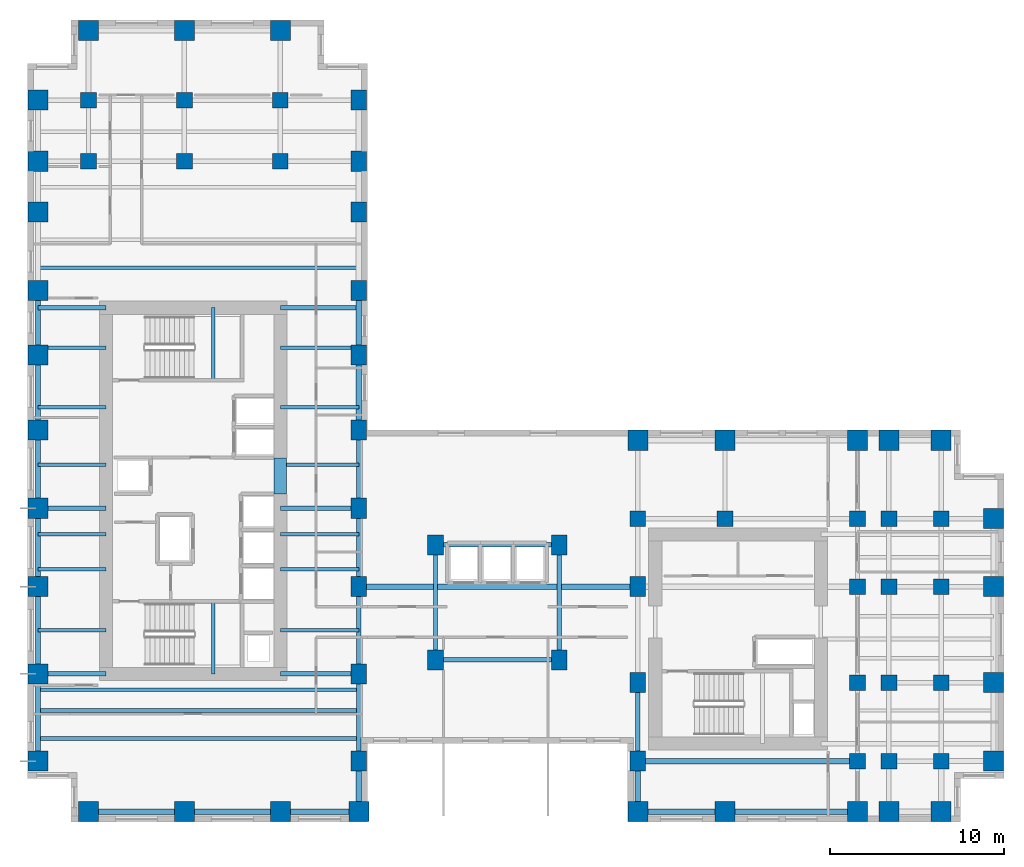
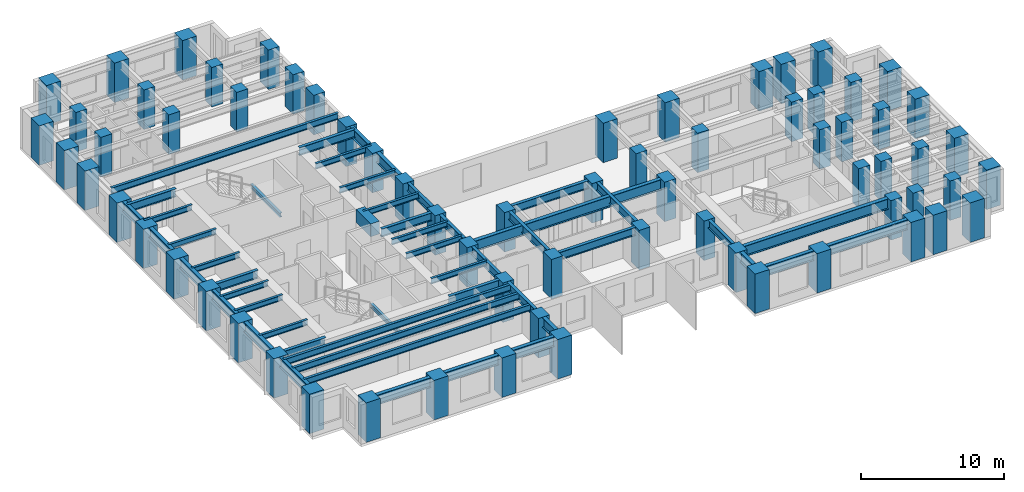
# One storey, part 1 of 11: 68 columns, 51 beams.
"""IFC4 building model written with IfcOpenShell, lengths in metres."""

from ifc_helpers import new_model, si_unit, direction, frame, origin, origin_2d, place, context, subcontext, project, spatial, rectangle, i_section, extrude, source, transform, mapped, material, material_profile, profile_set, type_object, element, save


model = new_model("IFC4")

# Units and contexts
model_context = context("Model", 3, precision=1e-05, world=origin(), true_north=direction((0.0, 1.0)))
body_context = subcontext(model_context, "Body", "Model", "MODEL_VIEW")
ifc_project = project(units=[si_unit("LENGTHUNIT", "METRE"), si_unit("AREAUNIT", "SQUARE_METRE"), si_unit("VOLUMEUNIT", "CUBIC_METRE"), si_unit("PLANEANGLEUNIT", "RADIAN"), si_unit("MASSUNIT", "GRAM", prefix="KILO")], contexts=[model_context])

# Site, building, storey
site_placement = place(None, origin())
site = spatial("IfcSite", under=ifc_project, at=site_placement, CompositionType="ELEMENT")
building_placement = place(site_placement, origin())
building = spatial("IfcBuilding", under=site, at=building_placement, Name="Kharzan Plaza Tower", CompositionType="ELEMENT")
storey_placement = place(building_placement, frame((0.0, 0.0, 84.60009765625)))
storey = spatial("IfcBuildingStorey", under=building, at=storey_placement, Name="L22", CompositionType="ELEMENT", Elevation=84.60009765625)

# Columns
ifc_material_1 = material(Name="Concrete C50/60", Category="concrete")
ifc_material_profile_1 = material_profile(ifc_material_1, rectangle(XDim=0.89990234375, YDim=0.89990234375, at=origin_2d()), Name="RC-IC900x900")
ifc_profile_set_1 = profile_set([ifc_material_profile_1], Name="Concrete C50/60")
column_type_1 = type_object("IfcColumnType", Name="COL-IC900", PredefinedType="COLUMN", material=ifc_profile_set_1)
shared_shape_1 = source(origin(), body_context, "Body", "SweptSolid", [
    extrude(rectangle(XDim=0.89990234375, YDim=0.89990234375, at=origin_2d()), origin(), (0.0, 0.0, 1.0), 3.3798828125),
])
for number, where, z_axis, x_axis, name in (
    (1, (47.60009765625, 13.5, 0.0), (0.0, 0.0, 1.0), (1.0, 0.0, 0.0), "L22 Structural Column TCBI-135"),
    (2, (47.60009765625, 3.5, 0.0), (0.0, 0.0, 1.0), (1.0, 0.0, 0.0), "L22 Structural Column TCBI-35"),
    (3, (47.60009765625, 8.0, 0.0), (0.0, 0.0, 1.0), (1.0, 0.0, 0.0), "L22 Structural Column TCBI-80"),
    (4, (35.0, 17.39990234375, 0.0), (0.0, 0.0, 1.0), (1.0, 0.0, 0.0), "L22 Structural Column TCBN-350-174"),
    (5, (40.0, 17.39990234375, 0.0), (0.0, 0.0, 1.0), (1.0, 0.0, 0.0), "L22 Structural Column TCBN-400-174"),
    (6, (47.60009765625, 17.39990234375, 0.0), (0.0, 0.0, 1.0), (1.0, 0.0, 0.0), "L22 Structural Column TCBN-476-174"),
    (7, (49.39990234375, 13.5, 0.0), (0.0, 0.0, 1.0), (1.0, 0.0, 0.0), "L22 Structural Column TCE-494-135"),
    (8, (49.39990234375, 17.39990234375, 0.0), (0.0, 0.0, 1.0), (1.0, 0.0, 0.0), "L22 Structural Column TCE-494-174"),
    (9, (49.39990234375, 3.5, 0.0), (0.0, 0.0, 1.0), (1.0, 0.0, 0.0), "L22 Structural Column TCE-494-35"),
    (10, (49.39990234375, 8.0, 0.0), (0.0, 0.0, 1.0), (1.0, 0.0, 0.0), "L22 Structural Column TCE-494-80"),
    (11, (52.39990234375, 13.5, 0.0), (0.0, 0.0, 1.0), (1.0, 0.0, 0.0), "L22 Structural Column TCE-524-135"),
    (12, (52.39990234375, 17.39990234375, 0.0), (0.0, 0.0, 1.0), (1.0, 0.0, 0.0), "L22 Structural Column TCE-524-174"),
    (13, (52.39990234375, 3.5, 0.0), (0.0, 0.0, 1.0), (1.0, 0.0, 0.0), "L22 Structural Column TCE-524-35"),
    (14, (52.39990234375, 8.0, 0.0), (0.0, 0.0, 1.0), (1.0, 0.0, 0.0), "L22 Structural Column TCE-524-80"),
    (15, (14.5, 37.89990234375, 0.0), (0.0, 0.0, 1.0), (1.0, 0.0, 0.0), "L22 Structural Column TCN-145-379"),
    (16, (14.5, 41.39990234375, 0.0), (0.0, 0.0, 1.0), (1.0, 0.0, 0.0), "L22 Structural Column TCN-145-414"),
    (17, (3.5, 37.89990234375, 0.0), (0.0, 0.0, 1.0), (1.0, 0.0, 0.0), "L22 Structural Column TCN-35-379"),
    (18, (3.5, 41.39990234375, 0.0), (0.0, 0.0, 1.0), (1.0, 0.0, 0.0), "L22 Structural Column TCN-35-414"),
    (19, (9.0, 37.89990234375, 0.0), (0.0, 0.0, 1.0), (1.0, 0.0, 0.0), "L22 Structural Column TCN-90-379"),
    (20, (9.0, 41.39990234375, 0.0), (0.0, 0.0, 1.0), (1.0, 0.0, 0.0), "L22 Structural Column TCN-90-414"),
):
    element("IfcColumn", number, at=place(storey_placement, frame(where, z_axis=z_axis, x_axis=x_axis)), inside=storey, type_object=column_type_1, Name=name, PredefinedType="COLUMN", context=body_context, shape_type="MappedRepresentation", body=[
        mapped(shared_shape_1, transform((0.0, 0.0, 0.0), x_axis=(1.0, 0.0, 0.0), y_axis=(0.0, 1.0, 0.0), z_axis=(0.0, 0.0, 1.0))),
    ])
ifc_material_2 = material(Name="Concrete C60/75", Category="concrete")
ifc_material_profile_2 = material_profile(ifc_material_2, rectangle(XDim=0.89990234375, YDim=1.14990234375, at=origin_2d()), Name="RC-SC1150x900")
ifc_profile_set_2 = profile_set([ifc_material_profile_2], Name="Concrete C60/75")
column_type_2 = type_object("IfcColumnType", Name="COL-SC1150", PredefinedType="COLUMN", material=ifc_profile_set_2)
shared_shape_2 = source(origin(), body_context, "Body", "SweptSolid", [
    extrude(rectangle(XDim=0.89990234375, YDim=1.14990234375, at=origin_2d()), origin(), (0.0, 0.0, 1.0), 3.3798828125),
])
for number, where, z_axis, x_axis, name in (
    (21, (19.0, 13.5, 0.0), (0.0, 0.0, 1.0), (1.0, 0.0, 0.0), "L22 Structural Column TCA-135"),
    (22, (19.0, 18.0, 0.0), (0.0, 0.0, 1.0), (1.0, 0.0, 0.0), "L22 Structural Column TCA-180"),
    (23, (19.0, 22.5, 0.0), (0.0, 0.0, 1.0), (1.0, 0.0, 0.0), "L22 Structural Column TCA-225"),
    (24, (19.0, 26.800048828125, 0.0), (0.0, 0.0, 1.0), (1.0, 0.0, 0.0), "L22 Structural Column TCA-268"),
    (25, (19.0, 30.5, 0.0), (0.0, 0.0, 1.0), (1.0, 0.0, 0.0), "L22 Structural Column TCA-305"),
    (26, (19.0, 3.5, 0.0), (0.0, 0.0, 1.0), (1.0, 0.0, 0.0), "L22 Structural Column TCA-35"),
    (27, (19.0, 35.0, 0.0), (0.0, 0.0, 1.0), (1.0, 0.0, 0.0), "L22 Structural Column TCA-350"),
    (28, (19.0, 37.89990234375, 0.0), (0.0, 0.0, 1.0), (1.0, 0.0, 0.0), "L22 Structural Column TCA-379"),
    (29, (19.0, 41.39990234375, 0.0), (0.0, 0.0, 1.0), (1.0, 0.0, 0.0), "L22 Structural Column TCA-414"),
    (30, (19.0, 8.5, 0.0), (0.0, 0.0, 1.0), (1.0, 0.0, 0.0), "L22 Structural Column TCA-85"),
    (31, (35.0, 13.5, 0.0), (0.0, 0.0, 1.0), (1.0, 0.0, 0.0), "L22 Structural Column TCBS-135"),
    (32, (35.0, 3.5, 0.0), (0.0, 0.0, 1.0), (1.0, 0.0, 0.0), "L22 Structural Column TCBS-35"),
    (33, (35.0, 8.0, 0.0), (0.0, 0.0, 1.0), (1.0, 0.0, 0.0), "L22 Structural Column TCBS-80"),
    (34, (23.39990234375, 15.89990234375, 0.0), (0.0, 0.0, 1.0), (1.0, 0.0, 0.0), "L22 Structural Column TCSP-234-159"),
    (35, (23.39990234375, 9.300048828125, 0.0), (0.0, 0.0, 1.0), (1.0, 0.0, 0.0), "L22 Structural Column TCSP-234-93"),
    (36, (30.5, 15.89990234375, 0.0), (0.0, 0.0, 1.0), (1.0, 0.0, 0.0), "L22 Structural Column TCSP-305-159"),
    (37, (30.5, 9.300048828125, 0.0), (0.0, 0.0, 1.0), (1.0, 0.0, 0.0), "L22 Structural Column TCSP-305-93"),
):
    element("IfcColumn", number, at=place(storey_placement, frame(where, z_axis=z_axis, x_axis=x_axis)), inside=storey, type_object=column_type_2, Name=name, PredefinedType="COLUMN", context=body_context, shape_type="MappedRepresentation", body=[
        mapped(shared_shape_2, transform((0.0, 0.0, 0.0), x_axis=(1.0, 0.0, 0.0), y_axis=(0.0, 1.0, 0.0), z_axis=(0.0, 0.0, 1.0))),
    ])
ifc_material_profile_3 = material_profile(ifc_material_2, rectangle(XDim=1.14990234375, YDim=1.14990234375, at=origin_2d()), Name="RC-TC1150x1150")
ifc_profile_set_3 = profile_set([ifc_material_profile_3], Name="Concrete C60/75")
column_type_3 = type_object("IfcColumnType", Name="COL-TC1150", PredefinedType="COLUMN", material=ifc_profile_set_3)
shared_shape_3 = source(origin(), body_context, "Body", "SweptSolid", [
    extrude(rectangle(XDim=1.14990234375, YDim=1.14990234375, at=origin_2d()), origin(), (0.0, 0.0, 1.0), 3.3798828125),
])
for number, where, z_axis, x_axis, name in (
    (38, (35.0, 21.89990234375, 0.0), (0.0, 0.0, 1.0), (1.0, 0.0, 0.0), "L22 Structural Column TCBN-350-219"),
    (39, (40.0, 21.89990234375, 0.0), (0.0, 0.0, 1.0), (1.0, 0.0, 0.0), "L22 Structural Column TCBN-400-219"),
    (40, (47.60009765625, 21.89990234375, 0.0), (0.0, 0.0, 1.0), (1.0, 0.0, 0.0), "L22 Structural Column TCBN-476-219"),
    (41, (49.39990234375, 21.89990234375, 0.0), (0.0, 0.0, 1.0), (1.0, 0.0, 0.0), "L22 Structural Column TCBN-494-219"),
    (42, (52.39990234375, 21.89990234375, 0.0), (0.0, 0.0, 1.0), (1.0, 0.0, 0.0), "L22 Structural Column TCBN-524-219"),
    (43, (55.39990234375, 13.5, 0.0), (0.0, 0.0, 1.0), (1.0, 0.0, 0.0), "L22 Structural Column TCE-554-135"),
    (44, (55.39990234375, 17.39990234375, 0.0), (0.0, 0.0, 1.0), (1.0, 0.0, 0.0), "L22 Structural Column TCE-554-174"),
    (45, (55.39990234375, 3.5, 0.0), (0.0, 0.0, 1.0), (1.0, 0.0, 0.0), "L22 Structural Column TCE-554-35"),
    (46, (55.39990234375, 8.0, 0.0), (0.0, 0.0, 1.0), (1.0, 0.0, 0.0), "L22 Structural Column TCE-554-80"),
    (47, (14.5, 45.39990234375, 0.0), (0.0, 0.0, 1.0), (1.0, 0.0, 0.0), "L22 Structural Column TCN-145-454"),
    (48, (3.5, 45.39990234375, 0.0), (0.0, 0.0, 1.0), (1.0, 0.0, 0.0), "L22 Structural Column TCN-35-454"),
    (49, (9.0, 45.39990234375, 0.0), (0.0, 0.0, 1.0), (1.0, 0.0, 0.0), "L22 Structural Column TCN-90-454"),
    (50, (14.5, 0.60009765625, 0.0), (0.0, 0.0, 1.0), (1.0, 0.0, 0.0), "L22 Structural Column TCS-145"),
    (51, (19.0, 0.60009765625, 0.0), (0.0, 0.0, 1.0), (1.0, 0.0, 0.0), "L22 Structural Column TCS-190"),
    (52, (3.5, 0.60009765625, 0.0), (0.0, 0.0, 1.0), (1.0, 0.0, 0.0), "L22 Structural Column TCS-35"),
    (53, (35.0, 0.60009765625, 0.0), (0.0, 0.0, 1.0), (1.0, 0.0, 0.0), "L22 Structural Column TCS-350"),
    (54, (40.0, 0.60009765625, 0.0), (0.0, 0.0, 1.0), (1.0, 0.0, 0.0), "L22 Structural Column TCS-400"),
    (55, (47.60009765625, 0.60009765625, 0.0), (0.0, 0.0, 1.0), (1.0, 0.0, 0.0), "L22 Structural Column TCS-476"),
    (56, (49.39990234375, 0.60009765625, 0.0), (0.0, 0.0, 1.0), (1.0, 0.0, 0.0), "L22 Structural Column TCS-494"),
    (57, (52.39990234375, 0.60009765625, 0.0), (0.0, 0.0, 1.0), (1.0, 0.0, 0.0), "L22 Structural Column TCS-524"),
    (58, (9.0, 0.60009765625, 0.0), (0.0, 0.0, 1.0), (1.0, 0.0, 0.0), "L22 Structural Column TCS-90"),
    (59, (0.60009765625, 13.5, 0.0), (0.0, 0.0, 1.0), (1.0, 0.0, 0.0), "L22 Structural Column TCW-135"),
    (60, (0.60009765625, 18.0, 0.0), (0.0, 0.0, 1.0), (1.0, 0.0, 0.0), "L22 Structural Column TCW-180"),
    (61, (0.60009765625, 22.5, 0.0), (0.0, 0.0, 1.0), (1.0, 0.0, 0.0), "L22 Structural Column TCW-225"),
    (62, (0.60009765625, 26.800048828125, 0.0), (0.0, 0.0, 1.0), (1.0, 0.0, 0.0), "L22 Structural Column TCW-268"),
    (63, (0.60009765625, 30.5, 0.0), (0.0, 0.0, 1.0), (1.0, 0.0, 0.0), "L22 Structural Column TCW-305"),
    (64, (0.60009765625, 3.5, 0.0), (0.0, 0.0, 1.0), (1.0, 0.0, 0.0), "L22 Structural Column TCW-35"),
    (65, (0.60009765625, 35.0, 0.0), (0.0, 0.0, 1.0), (1.0, 0.0, 0.0), "L22 Structural Column TCW-350"),
    (66, (0.60009765625, 37.89990234375, 0.0), (0.0, 0.0, 1.0), (1.0, 0.0, 0.0), "L22 Structural Column TCW-379"),
    (67, (0.60009765625, 41.39990234375, 0.0), (0.0, 0.0, 1.0), (1.0, 0.0, 0.0), "L22 Structural Column TCW-414"),
    (68, (0.60009765625, 8.5, 0.0), (0.0, 0.0, 1.0), (1.0, 0.0, 0.0), "L22 Structural Column TCW-85"),
):
    element("IfcColumn", number, at=place(storey_placement, frame(where, z_axis=z_axis, x_axis=x_axis)), inside=storey, type_object=column_type_3, Name=name, PredefinedType="COLUMN", context=body_context, shape_type="MappedRepresentation", body=[
        mapped(shared_shape_3, transform((0.0, 0.0, 0.0), x_axis=(1.0, 0.0, 0.0), y_axis=(0.0, 1.0, 0.0), z_axis=(0.0, 0.0, 1.0))),
    ])

# Beams
ifc_material_profile_4 = material_profile(ifc_material_2, rectangle(XDim=0.699951171875, YDim=1.10009765625, at=origin_2d()), Name="RC-CB1100x700")
ifc_profile_set_4 = profile_set([ifc_material_profile_4], Name="Concrete C60/75")
beam_type_1 = type_object("IfcBeamType", Name="BM-RCCB1100", PredefinedType="LINTEL", material=ifc_profile_set_4)
shared_shape_4 = source(origin(), body_context, "Body", "SweptSolid", [
    extrude(rectangle(XDim=0.699951171875, YDim=1.10009765625, at=origin_2d()), origin(), (0.0, 0.0, 1.0), 2.059814453125),
])
beam_1_placement = place(storey_placement, frame((14.5, 18.820068359375, 2.829833984375), z_axis=(0.0, 1.0, 0.0), x_axis=(-1.0, 0.0, 0.0)))
element("IfcBeam", 69, at=beam_1_placement, inside=storey, type_object=beam_type_1, Name="L22 CORE-A RC coupling beam CB1", PredefinedType="LINTEL", context=body_context, shape_type="MappedRepresentation", body=[
    mapped(shared_shape_4, transform((0.0, 0.0, 0.0), x_axis=(1.0, 0.0, 0.0), y_axis=(0.0, 1.0, 0.0), z_axis=(0.0, 0.0, 1.0))),
])
ifc_material_3 = material(Name="Steel S355", Category="steel")
ifc_material_profile_5 = material_profile(ifc_material_3, i_section(OverallWidth=0.205078125, OverallDepth=0.35400390625, WebThickness=0.009521484375, FlangeThickness=0.016845703125, at=origin_2d()), Name="W360x79")
ifc_profile_set_5 = profile_set([ifc_material_profile_5], Name="Steel S355")
beam_type_2 = type_object("IfcBeamType", Name="BM-LNT360", PredefinedType="LINTEL", material=ifc_profile_set_5)
shared_shape_5 = source(origin(), body_context, "Body", "SweptSolid", [
    extrude(i_section(OverallWidth=0.205078125, OverallDepth=0.35400390625, WebThickness=0.009521484375, FlangeThickness=0.016845703125, at=origin_2d()), origin(), (0.0, 0.0, 1.0), 4.155029296875),
])
for number, where, z_axis, x_axis, name in (
    (70, (10.64990234375, 8.5, 1.4228515625), (0.0, 1.0, 0.0), (-1.0, 0.0, 0.0), "L22 Stair ST-1 Half-Landing Beam"),
    (71, (10.64990234375, 25.344970703125, 1.4228515625), (0.0, 1.0, 0.0), (-1.0, 0.0, 0.0), "L22 Stair ST-2 Half-Landing Beam"),
):
    element("IfcBeam", number, at=place(storey_placement, frame(where, z_axis=z_axis, x_axis=x_axis)), inside=storey, type_object=beam_type_2, Name=name, PredefinedType="LINTEL", context=body_context, shape_type="MappedRepresentation", body=[
        mapped(shared_shape_5, transform((0.0, 0.0, 0.0), x_axis=(1.0, 0.0, 0.0), y_axis=(0.0, 1.0, 0.0), z_axis=(0.0, 0.0, 1.0))),
    ])
ifc_material_profile_6 = material_profile(ifc_material_3, i_section(OverallWidth=0.304931640625, OverallDepth=0.9189453125, WebThickness=0.017333984375, FlangeThickness=0.02783203125, at=origin_2d()), Name="W920x253")
ifc_profile_set_6 = profile_set([ifc_material_profile_6], Name="Steel S355")
beam_type_3 = type_object("IfcBeamType", Name="BM-FG920B", PredefinedType="BEAM", material=ifc_profile_set_6)
shared_shape_6 = source(origin(), body_context, "Body", "SweptSolid", [
    extrude(i_section(OverallWidth=0.304931640625, OverallDepth=0.9189453125, WebThickness=0.017333984375, FlangeThickness=0.02783203125, at=origin_2d()), origin(), (0.0, 0.0, 1.0), 12.60009765625),
])
beam_2_placement = place(storey_placement, frame((35.0, 3.5, 2.92041015625), z_axis=(1.0, 0.0, 0.0), x_axis=(0.0, 1.0, 0.0)))
element("IfcBeam", 72, at=beam_2_placement, inside=storey, type_object=beam_type_3, Name="L22 Primary Floor Girder", PredefinedType="BEAM", context=body_context, shape_type="MappedRepresentation", body=[
    mapped(shared_shape_6, transform((0.0, 0.0, 0.0), x_axis=(1.0, 0.0, 0.0), y_axis=(0.0, 1.0, 0.0), z_axis=(0.0, 0.0, 1.0))),
])
shared_shape_7 = source(origin(), body_context, "Body", "SweptSolid", [
    extrude(i_section(OverallWidth=0.304931640625, OverallDepth=0.9189453125, WebThickness=0.017333984375, FlangeThickness=0.02783203125, at=origin_2d()), origin(), (0.0, 0.0, 1.0), 16.0),
])
beam_3_placement = place(storey_placement, frame((19.0, 13.5, 2.92041015625), z_axis=(1.0, 0.0, 0.0), x_axis=(0.0, 1.0, 0.0)))
element("IfcBeam", 73, at=beam_3_placement, inside=storey, type_object=beam_type_3, Name="L22 Primary Floor Girder", PredefinedType="BEAM", context=body_context, shape_type="MappedRepresentation", body=[
    mapped(shared_shape_7, transform((0.0, 0.0, 0.0), x_axis=(1.0, 0.0, 0.0), y_axis=(0.0, 1.0, 0.0), z_axis=(0.0, 0.0, 1.0))),
])
ifc_material_profile_7 = material_profile(ifc_material_3, i_section(OverallWidth=0.2099609375, OverallDepth=0.537109375, WebThickness=0.010986328125, FlangeThickness=0.017333984375, at=origin_2d()), Name="W530x101")
ifc_profile_set_7 = profile_set([ifc_material_profile_7], Name="Steel S355")
beam_type_4 = type_object("IfcBeamType", Name="BM-JST530B", PredefinedType="JOIST", material=ifc_profile_set_7)
shared_shape_8 = source(origin(), body_context, "Body", "SweptSolid", [
    extrude(i_section(OverallWidth=0.2099609375, OverallDepth=0.537109375, WebThickness=0.010986328125, FlangeThickness=0.017333984375, at=origin_2d()), origin(), (0.0, 0.0, 1.0), 18.39990234375),
])
for number, where, z_axis, x_axis, name in (
    (74, (0.60009765625, 4.800048828125, 3.111328125), (1.0, 0.0, 0.0), (0.0, 1.0, 0.0), "L22 Wing A Composite Joist 01"),
    (75, (0.60009765625, 6.39990234375, 3.111328125), (1.0, 0.0, 0.0), (0.0, 1.0, 0.0), "L22 Wing A Composite Joist 02"),
    (76, (0.60009765625, 7.60009765625, 3.111328125), (1.0, 0.0, 0.0), (0.0, 1.0, 0.0), "L22 Wing A Composite Joist 03"),
    (77, (0.60009765625, 31.800048828125, 3.111328125), (1.0, 0.0, 0.0), (0.0, 1.0, 0.0), "L22 Wing A Composite Joist 04"),
):
    element("IfcBeam", number, at=place(storey_placement, frame(where, z_axis=z_axis, x_axis=x_axis)), inside=storey, type_object=beam_type_4, Name=name, PredefinedType="JOIST", context=body_context, shape_type="MappedRepresentation", body=[
        mapped(shared_shape_8, transform((0.0, 0.0, 0.0), x_axis=(1.0, 0.0, 0.0), y_axis=(0.0, 1.0, 0.0), z_axis=(0.0, 0.0, 1.0))),
    ])
ifc_material_profile_8 = material_profile(ifc_material_3, i_section(OverallWidth=0.194091796875, OverallDepth=0.468994140625, WebThickness=0.011474609375, FlangeThickness=0.0205078125, at=origin_2d()), Name="W460x106")
ifc_profile_set_8 = profile_set([ifc_material_profile_8], Name="Steel S355")
beam_type_5 = type_object("IfcBeamType", Name="BM-JST460", PredefinedType="JOIST", material=ifc_profile_set_8)
shared_shape_9 = source(origin(), body_context, "Body", "SweptSolid", [
    extrude(i_section(OverallWidth=0.194091796875, OverallDepth=0.468994140625, WebThickness=0.011474609375, FlangeThickness=0.0205078125, at=origin_2d()), origin(), (0.0, 0.0, 1.0), 4.5),
])
for number, where, z_axis, x_axis, name in (
    (78, (14.5, 11.0, 3.1455078125), (1.0, 0.0, 0.0), (0.0, 1.0, 0.0), "L22 Wing A East Infill Joist 1"),
    (79, (14.5, 14.5, 3.1455078125), (1.0, 0.0, 0.0), (0.0, 1.0, 0.0), "L22 Wing A East Infill Joist 2"),
    (80, (14.5, 16.5, 3.1455078125), (1.0, 0.0, 0.0), (0.0, 1.0, 0.0), "L22 Wing A East Infill Joist 3"),
    (81, (14.5, 20.5, 3.1455078125), (1.0, 0.0, 0.0), (0.0, 1.0, 0.0), "L22 Wing A East Infill Joist 4"),
    (82, (14.5, 23.800048828125, 3.1455078125), (1.0, 0.0, 0.0), (0.0, 1.0, 0.0), "L22 Wing A East Infill Joist 5"),
    (83, (14.5, 27.199951171875, 3.1455078125), (1.0, 0.0, 0.0), (0.0, 1.0, 0.0), "L22 Wing A East Infill Joist 6"),
):
    element("IfcBeam", number, at=place(storey_placement, frame(where, z_axis=z_axis, x_axis=x_axis)), inside=storey, type_object=beam_type_5, Name=name, PredefinedType="JOIST", context=body_context, shape_type="MappedRepresentation", body=[
        mapped(shared_shape_9, transform((0.0, 0.0, 0.0), x_axis=(1.0, 0.0, 0.0), y_axis=(0.0, 1.0, 0.0), z_axis=(0.0, 0.0, 1.0))),
    ])
shared_shape_10 = source(origin(), body_context, "Body", "SweptSolid", [
    extrude(i_section(OverallWidth=0.194091796875, OverallDepth=0.468994140625, WebThickness=0.011474609375, FlangeThickness=0.0205078125, at=origin_2d()), origin(), (0.0, 0.0, 1.0), 3.89990234375),
])
for number, where, z_axis, x_axis, name in (
    (84, (0.60009765625, 11.0, 3.1455078125), (1.0, 0.0, 0.0), (0.0, 1.0, 0.0), "L22 Wing A West Infill Joist 1"),
    (85, (0.60009765625, 14.5, 3.1455078125), (1.0, 0.0, 0.0), (0.0, 1.0, 0.0), "L22 Wing A West Infill Joist 2"),
    (86, (0.60009765625, 16.5, 3.1455078125), (1.0, 0.0, 0.0), (0.0, 1.0, 0.0), "L22 Wing A West Infill Joist 3"),
    (87, (0.60009765625, 20.5, 3.1455078125), (1.0, 0.0, 0.0), (0.0, 1.0, 0.0), "L22 Wing A West Infill Joist 4"),
    (88, (0.60009765625, 23.800048828125, 3.1455078125), (1.0, 0.0, 0.0), (0.0, 1.0, 0.0), "L22 Wing A West Infill Joist 5"),
    (89, (0.60009765625, 27.199951171875, 3.1455078125), (1.0, 0.0, 0.0), (0.0, 1.0, 0.0), "L22 Wing A West Infill Joist 6"),
):
    element("IfcBeam", number, at=place(storey_placement, frame(where, z_axis=z_axis, x_axis=x_axis)), inside=storey, type_object=beam_type_5, Name=name, PredefinedType="JOIST", context=body_context, shape_type="MappedRepresentation", body=[
        mapped(shared_shape_10, transform((0.0, 0.0, 0.0), x_axis=(1.0, 0.0, 0.0), y_axis=(0.0, 1.0, 0.0), z_axis=(0.0, 0.0, 1.0))),
    ])
ifc_material_profile_9 = material_profile(ifc_material_3, i_section(OverallWidth=0.25390625, OverallDepth=0.68798828125, WebThickness=0.01318359375, FlangeThickness=0.02099609375, at=origin_2d()), Name="W690x152")
ifc_profile_set_9 = profile_set([ifc_material_profile_9], Name="Steel S355")
beam_type_6 = type_object("IfcBeamType", Name="BM-FG690B", PredefinedType="BEAM", material=ifc_profile_set_9)
shared_shape_11 = source(origin(), body_context, "Body", "SweptSolid", [
    extrude(i_section(OverallWidth=0.25390625, OverallDepth=0.68798828125, WebThickness=0.01318359375, FlangeThickness=0.02099609375, at=origin_2d()), origin(), (0.0, 0.0, 1.0), 4.5),
])
for number, where, z_axis, x_axis, name in (
    (90, (14.5, 8.5, 3.035888671875), (1.0, 0.0, 0.0), (0.0, 1.0, 0.0), "L22 Core-A East Floor Girder 1"),
    (91, (14.5, 18.0, 3.035888671875), (1.0, 0.0, 0.0), (0.0, 1.0, 0.0), "L22 Core-A East Floor Girder 2"),
    (92, (14.5, 29.5, 3.035888671875), (1.0, 0.0, 0.0), (0.0, 1.0, 0.0), "L22 Core-A East Floor Girder 3"),
    (93, (19.0, 13.5, 3.035888671875), (0.0, 1.0, 0.0), (-1.0, 0.0, 0.0), "L22 Interior Frame Girder"),
    (94, (19.0, 18.0, 3.035888671875), (0.0, 1.0, 0.0), (-1.0, 0.0, 0.0), "L22 Interior Frame Girder"),
    (95, (35.0, 3.5, 3.035888671875), (0.0, 1.0, 0.0), (-1.0, 0.0, 0.0), "L22 Interior Frame Girder"),
):
    element("IfcBeam", number, at=place(storey_placement, frame(where, z_axis=z_axis, x_axis=x_axis)), inside=storey, type_object=beam_type_6, Name=name, PredefinedType="BEAM", context=body_context, shape_type="MappedRepresentation", body=[
        mapped(shared_shape_11, transform((0.0, 0.0, 0.0), x_axis=(1.0, 0.0, 0.0), y_axis=(0.0, 1.0, 0.0), z_axis=(0.0, 0.0, 1.0))),
    ])
shared_shape_12 = source(origin(), body_context, "Body", "SweptSolid", [
    extrude(i_section(OverallWidth=0.25390625, OverallDepth=0.68798828125, WebThickness=0.01318359375, FlangeThickness=0.02099609375, at=origin_2d()), origin(), (0.0, 0.0, 1.0), 3.89990234375),
])
for number, where, z_axis, x_axis, name in (
    (96, (0.60009765625, 8.5, 3.035888671875), (1.0, 0.0, 0.0), (0.0, 1.0, 0.0), "L22 Core-A West Floor Girder 1"),
    (97, (0.60009765625, 18.0, 3.035888671875), (1.0, 0.0, 0.0), (0.0, 1.0, 0.0), "L22 Core-A West Floor Girder 2"),
    (98, (0.60009765625, 29.5, 3.035888671875), (1.0, 0.0, 0.0), (0.0, 1.0, 0.0), "L22 Core-A West Floor Girder 3"),
):
    element("IfcBeam", number, at=place(storey_placement, frame(where, z_axis=z_axis, x_axis=x_axis)), inside=storey, type_object=beam_type_6, Name=name, PredefinedType="BEAM", context=body_context, shape_type="MappedRepresentation", body=[
        mapped(shared_shape_12, transform((0.0, 0.0, 0.0), x_axis=(1.0, 0.0, 0.0), y_axis=(0.0, 1.0, 0.0), z_axis=(0.0, 0.0, 1.0))),
    ])
shared_shape_13 = source(origin(), body_context, "Body", "SweptSolid", [
    extrude(i_section(OverallWidth=0.25390625, OverallDepth=0.68798828125, WebThickness=0.01318359375, FlangeThickness=0.02099609375, at=origin_2d()), origin(), (0.0, 0.0, 1.0), 5.0),
])
for number, where, z_axis, x_axis, name in (
    (99, (19.0, 3.5, 3.035888671875), (0.0, 1.0, 0.0), (-1.0, 0.0, 0.0), "L22 Interior Frame Girder"),
    (100, (19.0, 8.5, 3.035888671875), (0.0, 1.0, 0.0), (-1.0, 0.0, 0.0), "L22 Interior Frame Girder"),
):
    element("IfcBeam", number, at=place(storey_placement, frame(where, z_axis=z_axis, x_axis=x_axis)), inside=storey, type_object=beam_type_6, Name=name, PredefinedType="BEAM", context=body_context, shape_type="MappedRepresentation", body=[
        mapped(shared_shape_13, transform((0.0, 0.0, 0.0), x_axis=(1.0, 0.0, 0.0), y_axis=(0.0, 1.0, 0.0), z_axis=(0.0, 0.0, 1.0))),
    ])
shared_shape_14 = source(origin(), body_context, "Body", "SweptSolid", [
    extrude(i_section(OverallWidth=0.25390625, OverallDepth=0.68798828125, WebThickness=0.01318359375, FlangeThickness=0.02099609375, at=origin_2d()), origin(), (0.0, 0.0, 1.0), 6.599853515625),
])
for number, where, z_axis, x_axis, name in (
    (101, (23.39990234375, 9.300048828125, 3.035888671875), (0.0, 1.0, 0.0), (-1.0, 0.0, 0.0), "L22 Interior Frame Girder"),
    (102, (30.5, 9.300048828125, 3.035888671875), (0.0, 1.0, 0.0), (-1.0, 0.0, 0.0), "L22 Interior Frame Girder"),
):
    element("IfcBeam", number, at=place(storey_placement, frame(where, z_axis=z_axis, x_axis=x_axis)), inside=storey, type_object=beam_type_6, Name=name, PredefinedType="BEAM", context=body_context, shape_type="MappedRepresentation", body=[
        mapped(shared_shape_14, transform((0.0, 0.0, 0.0), x_axis=(1.0, 0.0, 0.0), y_axis=(0.0, 1.0, 0.0), z_axis=(0.0, 0.0, 1.0))),
    ])
shared_shape_15 = source(origin(), body_context, "Body", "SweptSolid", [
    extrude(i_section(OverallWidth=0.25390625, OverallDepth=0.68798828125, WebThickness=0.01318359375, FlangeThickness=0.02099609375, at=origin_2d()), origin(), (0.0, 0.0, 1.0), 7.10009765625),
])
for number, where, z_axis, x_axis, name in (
    (103, (23.39990234375, 9.300048828125, 3.035888671875), (1.0, 0.0, 0.0), (0.0, 1.0, 0.0), "L22 Primary Floor Girder"),
    (104, (23.39990234375, 15.89990234375, 3.035888671875), (1.0, 0.0, 0.0), (0.0, 1.0, 0.0), "L22 Primary Floor Girder"),
):
    element("IfcBeam", number, at=place(storey_placement, frame(where, z_axis=z_axis, x_axis=x_axis)), inside=storey, type_object=beam_type_6, Name=name, PredefinedType="BEAM", context=body_context, shape_type="MappedRepresentation", body=[
        mapped(shared_shape_15, transform((0.0, 0.0, 0.0), x_axis=(1.0, 0.0, 0.0), y_axis=(0.0, 1.0, 0.0), z_axis=(0.0, 0.0, 1.0))),
    ])
ifc_material_profile_10 = material_profile(ifc_material_3, i_section(OverallWidth=0.299072265625, OverallDepth=0.845947265625, WebThickness=0.015380859375, FlangeThickness=0.0244140625, at=origin_2d()), Name="W840x210")
ifc_profile_set_10 = profile_set([ifc_material_profile_10], Name="Steel S355")
beam_type_7 = type_object("IfcBeamType", Name="BM-SP840B", PredefinedType="SPANDREL", material=ifc_profile_set_10)
shared_shape_16 = source(origin(), body_context, "Body", "SweptSolid", [
    extrude(i_section(OverallWidth=0.299072265625, OverallDepth=0.845947265625, WebThickness=0.015380859375, FlangeThickness=0.0244140625, at=origin_2d()), origin(), (0.0, 0.0, 1.0), 5.0),
])
for number, where, z_axis, x_axis, name in (
    (105, (0.60009765625, 3.5, 2.956787109375), (0.0, 1.0, 0.0), (-1.0, 0.0, 0.0), "L22 Perimeter Tube Spandrel"),
    (106, (0.60009765625, 8.5, 2.956787109375), (0.0, 1.0, 0.0), (-1.0, 0.0, 0.0), "L22 Perimeter Tube Spandrel"),
    (107, (35.0, 0.60009765625, 2.956787109375), (1.0, 0.0, 0.0), (0.0, 1.0, 0.0), "L22 Perimeter Tube Spandrel"),
):
    element("IfcBeam", number, at=place(storey_placement, frame(where, z_axis=z_axis, x_axis=x_axis)), inside=storey, type_object=beam_type_7, Name=name, PredefinedType="SPANDREL", context=body_context, shape_type="MappedRepresentation", body=[
        mapped(shared_shape_16, transform((0.0, 0.0, 0.0), x_axis=(1.0, 0.0, 0.0), y_axis=(0.0, 1.0, 0.0), z_axis=(0.0, 0.0, 1.0))),
    ])
shared_shape_17 = source(origin(), body_context, "Body", "SweptSolid", [
    extrude(i_section(OverallWidth=0.299072265625, OverallDepth=0.845947265625, WebThickness=0.015380859375, FlangeThickness=0.0244140625, at=origin_2d()), origin(), (0.0, 0.0, 1.0), 4.5),
])
for number, where, z_axis, x_axis, name in (
    (108, (0.60009765625, 13.5, 2.956787109375), (0.0, 1.0, 0.0), (-1.0, 0.0, 0.0), "L22 Perimeter Tube Spandrel"),
    (109, (0.60009765625, 18.0, 2.956787109375), (0.0, 1.0, 0.0), (-1.0, 0.0, 0.0), "L22 Perimeter Tube Spandrel"),
    (110, (14.5, 0.60009765625, 2.956787109375), (1.0, 0.0, 0.0), (0.0, 1.0, 0.0), "L22 Perimeter Tube Spandrel"),
):
    element("IfcBeam", number, at=place(storey_placement, frame(where, z_axis=z_axis, x_axis=x_axis)), inside=storey, type_object=beam_type_7, Name=name, PredefinedType="SPANDREL", context=body_context, shape_type="MappedRepresentation", body=[
        mapped(shared_shape_17, transform((0.0, 0.0, 0.0), x_axis=(1.0, 0.0, 0.0), y_axis=(0.0, 1.0, 0.0), z_axis=(0.0, 0.0, 1.0))),
    ])
shared_shape_18 = source(origin(), body_context, "Body", "SweptSolid", [
    extrude(i_section(OverallWidth=0.299072265625, OverallDepth=0.845947265625, WebThickness=0.015380859375, FlangeThickness=0.0244140625, at=origin_2d()), origin(), (0.0, 0.0, 1.0), 4.300048828125),
])
for number, where, z_axis, x_axis, name in (
    (111, (0.60009765625, 22.5, 2.956787109375), (0.0, 1.0, 0.0), (-1.0, 0.0, 0.0), "L22 Perimeter Tube Spandrel"),
    (112, (19.0, 22.5, 2.956787109375), (0.0, 1.0, 0.0), (-1.0, 0.0, 0.0), "L22 Perimeter Tube Spandrel"),
):
    element("IfcBeam", number, at=place(storey_placement, frame(where, z_axis=z_axis, x_axis=x_axis)), inside=storey, type_object=beam_type_7, Name=name, PredefinedType="SPANDREL", context=body_context, shape_type="MappedRepresentation", body=[
        mapped(shared_shape_18, transform((0.0, 0.0, 0.0), x_axis=(1.0, 0.0, 0.0), y_axis=(0.0, 1.0, 0.0), z_axis=(0.0, 0.0, 1.0))),
    ])
shared_shape_19 = source(origin(), body_context, "Body", "SweptSolid", [
    extrude(i_section(OverallWidth=0.299072265625, OverallDepth=0.845947265625, WebThickness=0.015380859375, FlangeThickness=0.0244140625, at=origin_2d()), origin(), (0.0, 0.0, 1.0), 3.699951171875),
])
for number, where, z_axis, x_axis, name in (
    (113, (0.60009765625, 26.800048828125, 2.956787109375), (0.0, 1.0, 0.0), (-1.0, 0.0, 0.0), "L22 Perimeter Tube Spandrel"),
    (114, (19.0, 26.800048828125, 2.956787109375), (0.0, 1.0, 0.0), (-1.0, 0.0, 0.0), "L22 Perimeter Tube Spandrel"),
):
    element("IfcBeam", number, at=place(storey_placement, frame(where, z_axis=z_axis, x_axis=x_axis)), inside=storey, type_object=beam_type_7, Name=name, PredefinedType="SPANDREL", context=body_context, shape_type="MappedRepresentation", body=[
        mapped(shared_shape_19, transform((0.0, 0.0, 0.0), x_axis=(1.0, 0.0, 0.0), y_axis=(0.0, 1.0, 0.0), z_axis=(0.0, 0.0, 1.0))),
    ])
shared_shape_20 = source(origin(), body_context, "Body", "SweptSolid", [
    extrude(i_section(OverallWidth=0.299072265625, OverallDepth=0.845947265625, WebThickness=0.015380859375, FlangeThickness=0.0244140625, at=origin_2d()), origin(), (0.0, 0.0, 1.0), 2.89990234375),
])
for number, where, z_axis, x_axis, name in (
    (115, (19.0, 0.60009765625, 2.956787109375), (0.0, 1.0, 0.0), (-1.0, 0.0, 0.0), "L22 Perimeter Tube Spandrel"),
    (116, (35.0, 0.60009765625, 2.956787109375), (0.0, 1.0, 0.0), (-1.0, 0.0, 0.0), "L22 Perimeter Tube Spandrel"),
):
    element("IfcBeam", number, at=place(storey_placement, frame(where, z_axis=z_axis, x_axis=x_axis)), inside=storey, type_object=beam_type_7, Name=name, PredefinedType="SPANDREL", context=body_context, shape_type="MappedRepresentation", body=[
        mapped(shared_shape_20, transform((0.0, 0.0, 0.0), x_axis=(1.0, 0.0, 0.0), y_axis=(0.0, 1.0, 0.0), z_axis=(0.0, 0.0, 1.0))),
    ])
shared_shape_21 = source(origin(), body_context, "Body", "SweptSolid", [
    extrude(i_section(OverallWidth=0.299072265625, OverallDepth=0.845947265625, WebThickness=0.015380859375, FlangeThickness=0.0244140625, at=origin_2d()), origin(), (0.0, 0.0, 1.0), 5.5),
])
for number, where, z_axis, x_axis, name in (
    (117, (3.5, 0.60009765625, 2.956787109375), (1.0, 0.0, 0.0), (0.0, 1.0, 0.0), "L22 Perimeter Tube Spandrel"),
    (118, (9.0, 0.60009765625, 2.956787109375), (1.0, 0.0, 0.0), (0.0, 1.0, 0.0), "L22 Perimeter Tube Spandrel"),
):
    element("IfcBeam", number, at=place(storey_placement, frame(where, z_axis=z_axis, x_axis=x_axis)), inside=storey, type_object=beam_type_7, Name=name, PredefinedType="SPANDREL", context=body_context, shape_type="MappedRepresentation", body=[
        mapped(shared_shape_21, transform((0.0, 0.0, 0.0), x_axis=(1.0, 0.0, 0.0), y_axis=(0.0, 1.0, 0.0), z_axis=(0.0, 0.0, 1.0))),
    ])
shared_shape_22 = source(origin(), body_context, "Body", "SweptSolid", [
    extrude(i_section(OverallWidth=0.299072265625, OverallDepth=0.845947265625, WebThickness=0.015380859375, FlangeThickness=0.0244140625, at=origin_2d()), origin(), (0.0, 0.0, 1.0), 7.60009765625),
])
beam_4_placement = place(storey_placement, frame((40.0, 0.60009765625, 2.956787109375), z_axis=(1.0, 0.0, 0.0), x_axis=(0.0, 1.0, 0.0)))
element("IfcBeam", 119, at=beam_4_placement, inside=storey, type_object=beam_type_7, Name="L22 Perimeter Tube Spandrel", PredefinedType="SPANDREL", context=body_context, shape_type="MappedRepresentation", body=[
    mapped(shared_shape_22, transform((0.0, 0.0, 0.0), x_axis=(1.0, 0.0, 0.0), y_axis=(0.0, 1.0, 0.0), z_axis=(0.0, 0.0, 1.0))),
])

save(model, "model.ifc")
